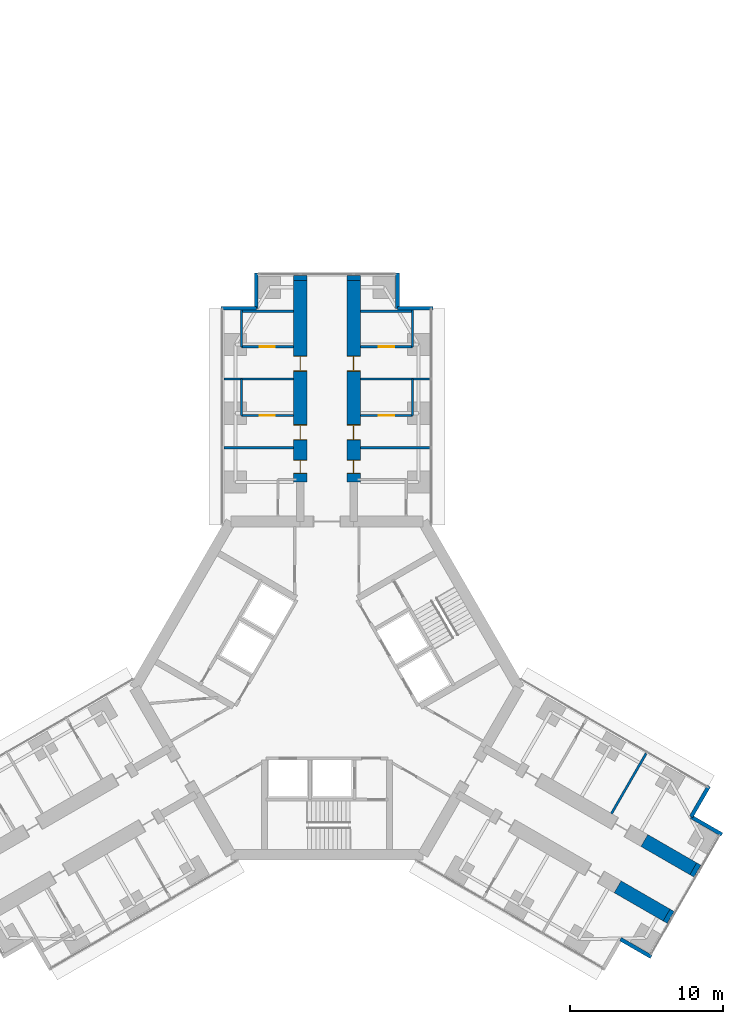
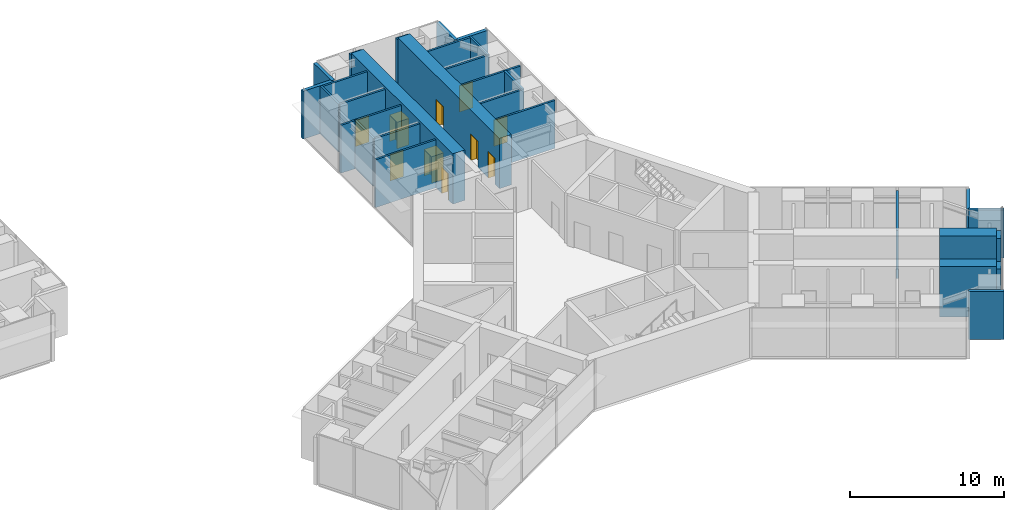
# One storey, part 22 of 24: 30 walls, 10 doors, 10 openings.
"""IFC4 building model written with IfcOpenShell, lengths in metres."""

from ifc_helpers import new_model, si_unit, direction, frame, frame_2d, origin, place, context, subcontext, project, spatial, rectangle, extrude, material, layer, layer_set, type_object, element, fill, save


model = new_model("IFC4")

# Units and contexts
model_context = context("Model", 3, precision=1e-05, world=origin(), true_north=direction((0.0, 1.0)))
body_context = subcontext(model_context, "Body", "Model", "MODEL_VIEW")
ifc_project = project(units=[si_unit("LENGTHUNIT", "METRE"), si_unit("AREAUNIT", "SQUARE_METRE"), si_unit("VOLUMEUNIT", "CUBIC_METRE"), si_unit("PLANEANGLEUNIT", "RADIAN"), si_unit("MASSUNIT", "GRAM", prefix="KILO")], contexts=[model_context])

# Site, building, storey
site_placement = place(None, origin())
site = spatial("IfcSite", under=ifc_project, at=site_placement, CompositionType="ELEMENT")
building_placement = place(site_placement, origin())
building = spatial("IfcBuilding", under=site, at=building_placement, Name="Upepo Twin Towers", CompositionType="ELEMENT")
storey_placement = place(building_placement, frame((0.0, 0.0, 64.5)))
storey = spatial("IfcBuildingStorey", under=building, at=storey_placement, Name="L15", CompositionType="ELEMENT", Elevation=64.5)

# Walls
ifc_material_1 = material(Name="Dense concrete blockwork", Category="masonry")
ifc_layer_1 = layer(ifc_material_1, 0.89990234375)
ifc_layer_set_1 = layer_set([ifc_layer_1], Name="Buttress closer 900, blockwork with fire-stopping to the curtain wall")
wall_type_1 = type_object("IfcWallType", Name="Buttress closer 900, blockwork with fire-stopping to the curtain wall", PredefinedType="PARTITIONING", material=ifc_layer_set_1)
for number, where, z_axis, x_axis, name in (
    (1, (56.75, 8.699951171875, 0.0), (0.0, 0.0, 1.0), (0.0, 1.0, 0.0), "T2 L15 wing A buttress closer L"),
    (2, (60.25, 8.699951171875, 0.0), (0.0, 0.0, 1.0), (0.0, 1.0, 0.0), "T2 L15 wing A buttress closer R"),
    (3, (82.497802734375, -29.83447265625, 0.0), (0.0, 0.0, 1.0), (0.866054481515, -0.499949632511, 0.0), "T2 L15 wing C buttress closer L"),
    (4, (80.747802734375, -32.865478515625, 0.0), (0.0, 0.0, 1.0), (0.866054481515, -0.499949632511, 0.0), "T2 L15 wing C buttress closer R"),
):
    element("IfcWall", number, at=place(storey_placement, frame(where, z_axis=z_axis, x_axis=x_axis)), inside=storey, type_object=wall_type_1, Name=name, PredefinedType="PARTITIONING", context=body_context, shape_type="SweptSolid", body=[
        extrude(rectangle(XDim=0.31005859375, YDim=0.89990234375, at=frame_2d((0.155029296875, 0.0))), origin(), (0.0, 0.0, 1.0), 3.800048828125),
    ])

# Wall, openings, doors
ifc_material_2 = material(Name="Concrete C60/75", Category="concrete")
ifc_layer_2 = layer(ifc_material_2, 0.89990234375)
ifc_layer_set_2 = layer_set([ifc_layer_2], Name="Concrete C60/75")
wall_type_2 = type_object("IfcWallType", Name="Buttress wall 900 RC", PredefinedType="SHEAR", material=ifc_layer_set_2)
wall_1_placement = place(storey_placement, frame((56.75, -4.5, 0.0), z_axis=(0.0, 0.0, 1.0), x_axis=(0.0, 1.0, 0.0)))
wall_1 = element("IfcWall", 5, at=wall_1_placement, inside=storey, type_object=wall_type_2, Name="T2 wing A buttress wall L part 2", PredefinedType="SHEAR", context=body_context, shape_type="SweptSolid", body=[
    extrude(rectangle(XDim=13.199951171875, YDim=0.89990234375, at=frame_2d((6.60009765625, 0.0))), origin(), (0.0, 0.0, 1.0), 4.0),
])
opening_1_placement = place(wall_1_placement, frame((0.550048828125, 0.0, 0.0)))
opening_1 = element("IfcOpeningElement", 6, at=opening_1_placement, cuts=wall_1, Name="Opening D11", PredefinedType="OPENING", context=body_context, shape_type="SweptSolid", body=[
    extrude(rectangle(XDim=0.89990234375, YDim=2.10009765625, at=frame_2d((0.449951171875, 1.050048828125))), frame((0.0, 0.4599609375, 0.0), z_axis=(0.0, -1.0, 0.0), x_axis=(1.0, 0.0, 0.0)), (0.0, 0.0, 1.0), 0.919921875),
])
opening_2_placement = place(wall_1_placement, frame((2.75, 0.0, 0.0)))
opening_2 = element("IfcOpeningElement", 7, at=opening_2_placement, cuts=wall_1, Name="Opening D1", PredefinedType="OPENING", context=body_context, shape_type="SweptSolid", body=[
    extrude(rectangle(XDim=1.0, YDim=2.10009765625, at=frame_2d((0.5, 1.050048828125))), frame((0.0, 0.4599609375, 0.0), z_axis=(0.0, -1.0, 0.0), x_axis=(1.0, 0.0, 0.0)), (0.0, 0.0, 1.0), 0.919921875),
])
opening_3_placement = place(wall_1_placement, frame((7.25, 0.0, 0.0)))
opening_3 = element("IfcOpeningElement", 8, at=opening_3_placement, cuts=wall_1, Name="Opening D1", PredefinedType="OPENING", context=body_context, shape_type="SweptSolid", body=[
    extrude(rectangle(XDim=1.0, YDim=2.10009765625, at=frame_2d((0.5, 1.050048828125))), frame((0.0, 0.4599609375, 0.0), z_axis=(0.0, -1.0, 0.0), x_axis=(1.0, 0.0, 0.0)), (0.0, 0.0, 1.0), 0.919921875),
])
ifc_material_3 = material(Name="Timber doorset", Category="wood")
door_type_1 = type_object("IfcDoorType", Name="Room door 1000 FD30", OperationType="SINGLE_SWING_LEFT", PredefinedType="DOOR", material=ifc_material_3)
door_1_placement = place(opening_2_placement, origin())
door_1 = element("IfcDoor", 9, at=door_1_placement, inside=storey, type_object=door_type_1, Name="T2 L15 tutorial room door", OperationType="SINGLE_SWING_LEFT", OverallHeight=2.10009765625, OverallWidth=1.0, PredefinedType="DOOR", context=body_context, shape_type="SweptSolid", body=[
    extrude(rectangle(XDim=0.92, YDim=2.06009765625, at=frame_2d((0.5, 1.030029296875))), frame((0.0, 0.02490234375, 0.0), z_axis=(0.0, -1.0, 0.0), x_axis=(1.0, 0.0, 0.0)), (0.0, 0.0, 1.0), 0.050048828125),
    extrude(rectangle(XDim=0.04, YDim=2.10009765625, at=frame_2d((0.02001953125, 1.050048828125))), frame((0.0, 0.44970703125, 0.0), z_axis=(0.0, -1.0, 0.0), x_axis=(1.0, 0.0, 0.0)), (0.0, 0.0, 1.0), 0.8994140625),
    extrude(rectangle(XDim=0.04, YDim=2.10009765625, at=frame_2d((0.97998046875, 1.050048828125))), frame((0.0, 0.44970703125, 0.0), z_axis=(0.0, -1.0, 0.0), x_axis=(1.0, 0.0, 0.0)), (0.0, 0.0, 1.0), 0.8994140625),
    extrude(rectangle(XDim=0.92, YDim=0.04, at=frame_2d((0.5, 2.080078125))), frame((0.0, 0.44970703125, 0.0), z_axis=(0.0, -1.0, 0.0), x_axis=(1.0, 0.0, 0.0)), (0.0, 0.0, 1.0), 0.8994140625),
])
fill(opening_2, door_1)
door_2_placement = place(opening_3_placement, origin())
door_2 = element("IfcDoor", 10, at=door_2_placement, inside=storey, type_object=door_type_1, Name="T2 L15 staff office door", OperationType="SINGLE_SWING_RIGHT", OverallHeight=2.10009765625, OverallWidth=1.0, PredefinedType="DOOR", context=body_context, shape_type="SweptSolid", body=[
    extrude(rectangle(XDim=0.92, YDim=2.06009765625, at=frame_2d((0.5, 1.030029296875))), frame((0.0, 0.02490234375, 0.0), z_axis=(0.0, -1.0, 0.0), x_axis=(1.0, 0.0, 0.0)), (0.0, 0.0, 1.0), 0.050048828125),
    extrude(rectangle(XDim=0.04, YDim=2.10009765625, at=frame_2d((0.02001953125, 1.050048828125))), frame((0.0, 0.44970703125, 0.0), z_axis=(0.0, -1.0, 0.0), x_axis=(1.0, 0.0, 0.0)), (0.0, 0.0, 1.0), 0.8994140625),
    extrude(rectangle(XDim=0.04, YDim=2.10009765625, at=frame_2d((0.97998046875, 1.050048828125))), frame((0.0, 0.44970703125, 0.0), z_axis=(0.0, -1.0, 0.0), x_axis=(1.0, 0.0, 0.0)), (0.0, 0.0, 1.0), 0.8994140625),
    extrude(rectangle(XDim=0.92, YDim=0.04, at=frame_2d((0.5, 2.080078125))), frame((0.0, 0.44970703125, 0.0), z_axis=(0.0, -1.0, 0.0), x_axis=(1.0, 0.0, 0.0)), (0.0, 0.0, 1.0), 0.8994140625),
])
fill(opening_3, door_2)
ifc_material_4 = material(Name="Timber doorset", Category="wood")
door_type_2 = type_object("IfcDoorType", Name="Toilet door 900", OperationType="SINGLE_SWING_LEFT", PredefinedType="DOOR", material=ifc_material_4)
door_3_placement = place(opening_1_placement, origin())
door_3 = element("IfcDoor", 11, at=door_3_placement, inside=storey, type_object=door_type_2, Name="T2 L15 toilets door", OperationType="SINGLE_SWING_LEFT", OverallHeight=2.10009765625, OverallWidth=0.89990234375, PredefinedType="DOOR", context=body_context, shape_type="SweptSolid", body=[
    extrude(rectangle(XDim=0.81990234375, YDim=2.06009765625, at=frame_2d((0.449951171875, 1.030029296875))), frame((0.0, 0.02490234375, 0.0), z_axis=(0.0, -1.0, 0.0), x_axis=(1.0, 0.0, 0.0)), (0.0, 0.0, 1.0), 0.050048828125),
    extrude(rectangle(XDim=0.04, YDim=2.10009765625, at=frame_2d((0.02001953125, 1.050048828125))), frame((0.0, 0.44970703125, 0.0), z_axis=(0.0, -1.0, 0.0), x_axis=(1.0, 0.0, 0.0)), (0.0, 0.0, 1.0), 0.8994140625),
    extrude(rectangle(XDim=0.04, YDim=2.10009765625, at=frame_2d((0.8798828125, 1.050048828125))), frame((0.0, 0.44970703125, 0.0), z_axis=(0.0, -1.0, 0.0), x_axis=(1.0, 0.0, 0.0)), (0.0, 0.0, 1.0), 0.8994140625),
    extrude(rectangle(XDim=0.81990234375, YDim=0.04, at=frame_2d((0.449951171875, 2.080078125))), frame((0.0, 0.44970703125, 0.0), z_axis=(0.0, -1.0, 0.0), x_axis=(1.0, 0.0, 0.0)), (0.0, 0.0, 1.0), 0.8994140625),
])
fill(opening_1, door_3)

wall_2_placement = place(storey_placement, frame((60.25, -4.5, 0.0), z_axis=(0.0, 0.0, 1.0), x_axis=(0.0, 1.0, 0.0)))
wall_2 = element("IfcWall", 12, at=wall_2_placement, inside=storey, type_object=wall_type_2, Name="T2 wing A buttress wall R part 2", PredefinedType="SHEAR", context=body_context, shape_type="SweptSolid", body=[
    extrude(rectangle(XDim=13.199951171875, YDim=0.89990234375, at=frame_2d((6.60009765625, 0.0))), origin(), (0.0, 0.0, 1.0), 4.0),
])
opening_4_placement = place(wall_2_placement, frame((0.550048828125, 0.0, 0.0)))
opening_4 = element("IfcOpeningElement", 13, at=opening_4_placement, cuts=wall_2, Name="Opening D11", PredefinedType="OPENING", context=body_context, shape_type="SweptSolid", body=[
    extrude(rectangle(XDim=0.89990234375, YDim=2.10009765625, at=frame_2d((0.449951171875, 1.050048828125))), frame((0.0, 0.4599609375, 0.0), z_axis=(0.0, -1.0, 0.0), x_axis=(1.0, 0.0, 0.0)), (0.0, 0.0, 1.0), 0.919921875),
])
opening_5_placement = place(wall_2_placement, frame((2.75, 0.0, 0.0)))
opening_5 = element("IfcOpeningElement", 14, at=opening_5_placement, cuts=wall_2, Name="Opening D1", PredefinedType="OPENING", context=body_context, shape_type="SweptSolid", body=[
    extrude(rectangle(XDim=1.0, YDim=2.10009765625, at=frame_2d((0.5, 1.050048828125))), frame((0.0, 0.4599609375, 0.0), z_axis=(0.0, -1.0, 0.0), x_axis=(1.0, 0.0, 0.0)), (0.0, 0.0, 1.0), 0.919921875),
])
opening_6_placement = place(wall_2_placement, frame((7.25, 0.0, 0.0)))
opening_6 = element("IfcOpeningElement", 15, at=opening_6_placement, cuts=wall_2, Name="Opening D1", PredefinedType="OPENING", context=body_context, shape_type="SweptSolid", body=[
    extrude(rectangle(XDim=1.0, YDim=2.10009765625, at=frame_2d((0.5, 1.050048828125))), frame((0.0, 0.4599609375, 0.0), z_axis=(0.0, -1.0, 0.0), x_axis=(1.0, 0.0, 0.0)), (0.0, 0.0, 1.0), 0.919921875),
])
door_4_placement = place(opening_5_placement, origin())
door_4 = element("IfcDoor", 16, at=door_4_placement, inside=storey, type_object=door_type_1, Name="T2 L15 seminar room door", OperationType="SINGLE_SWING_LEFT", OverallHeight=2.10009765625, OverallWidth=1.0, PredefinedType="DOOR", context=body_context, shape_type="SweptSolid", body=[
    extrude(rectangle(XDim=0.92, YDim=2.06009765625, at=frame_2d((0.5, 1.030029296875))), frame((0.0, 0.02490234375, 0.0), z_axis=(0.0, -1.0, 0.0), x_axis=(1.0, 0.0, 0.0)), (0.0, 0.0, 1.0), 0.050048828125),
    extrude(rectangle(XDim=0.04, YDim=2.10009765625, at=frame_2d((0.02001953125, 1.050048828125))), frame((0.0, 0.44970703125, 0.0), z_axis=(0.0, -1.0, 0.0), x_axis=(1.0, 0.0, 0.0)), (0.0, 0.0, 1.0), 0.8994140625),
    extrude(rectangle(XDim=0.04, YDim=2.10009765625, at=frame_2d((0.97998046875, 1.050048828125))), frame((0.0, 0.44970703125, 0.0), z_axis=(0.0, -1.0, 0.0), x_axis=(1.0, 0.0, 0.0)), (0.0, 0.0, 1.0), 0.8994140625),
    extrude(rectangle(XDim=0.92, YDim=0.04, at=frame_2d((0.5, 2.080078125))), frame((0.0, 0.44970703125, 0.0), z_axis=(0.0, -1.0, 0.0), x_axis=(1.0, 0.0, 0.0)), (0.0, 0.0, 1.0), 0.8994140625),
])
fill(opening_5, door_4)
door_5_placement = place(opening_6_placement, origin())
door_5 = element("IfcDoor", 17, at=door_5_placement, inside=storey, type_object=door_type_1, Name="T2 L15 tutorial room door", OperationType="SINGLE_SWING_RIGHT", OverallHeight=2.10009765625, OverallWidth=1.0, PredefinedType="DOOR", context=body_context, shape_type="SweptSolid", body=[
    extrude(rectangle(XDim=0.92, YDim=2.06009765625, at=frame_2d((0.5, 1.030029296875))), frame((0.0, 0.02490234375, 0.0), z_axis=(0.0, -1.0, 0.0), x_axis=(1.0, 0.0, 0.0)), (0.0, 0.0, 1.0), 0.050048828125),
    extrude(rectangle(XDim=0.04, YDim=2.10009765625, at=frame_2d((0.02001953125, 1.050048828125))), frame((0.0, 0.44970703125, 0.0), z_axis=(0.0, -1.0, 0.0), x_axis=(1.0, 0.0, 0.0)), (0.0, 0.0, 1.0), 0.8994140625),
    extrude(rectangle(XDim=0.04, YDim=2.10009765625, at=frame_2d((0.97998046875, 1.050048828125))), frame((0.0, 0.44970703125, 0.0), z_axis=(0.0, -1.0, 0.0), x_axis=(1.0, 0.0, 0.0)), (0.0, 0.0, 1.0), 0.8994140625),
    extrude(rectangle(XDim=0.92, YDim=0.04, at=frame_2d((0.5, 2.080078125))), frame((0.0, 0.44970703125, 0.0), z_axis=(0.0, -1.0, 0.0), x_axis=(1.0, 0.0, 0.0)), (0.0, 0.0, 1.0), 0.8994140625),
])
fill(opening_6, door_5)
door_6_placement = place(opening_4_placement, origin())
door_6 = element("IfcDoor", 18, at=door_6_placement, inside=storey, type_object=door_type_2, Name="T2 L15 accessible wc door", OperationType="SINGLE_SWING_LEFT", OverallHeight=2.10009765625, OverallWidth=0.89990234375, PredefinedType="DOOR", context=body_context, shape_type="SweptSolid", body=[
    extrude(rectangle(XDim=0.81990234375, YDim=2.06009765625, at=frame_2d((0.449951171875, 1.030029296875))), frame((0.0, 0.02490234375, 0.0), z_axis=(0.0, -1.0, 0.0), x_axis=(1.0, 0.0, 0.0)), (0.0, 0.0, 1.0), 0.050048828125),
    extrude(rectangle(XDim=0.04, YDim=2.10009765625, at=frame_2d((0.02001953125, 1.050048828125))), frame((0.0, 0.44970703125, 0.0), z_axis=(0.0, -1.0, 0.0), x_axis=(1.0, 0.0, 0.0)), (0.0, 0.0, 1.0), 0.8994140625),
    extrude(rectangle(XDim=0.04, YDim=2.10009765625, at=frame_2d((0.8798828125, 1.050048828125))), frame((0.0, 0.44970703125, 0.0), z_axis=(0.0, -1.0, 0.0), x_axis=(1.0, 0.0, 0.0)), (0.0, 0.0, 1.0), 0.8994140625),
    extrude(rectangle(XDim=0.81990234375, YDim=0.04, at=frame_2d((0.449951171875, 2.080078125))), frame((0.0, 0.44970703125, 0.0), z_axis=(0.0, -1.0, 0.0), x_axis=(1.0, 0.0, 0.0)), (0.0, 0.0, 1.0), 0.8994140625),
])
fill(opening_4, door_6)

# Walls
wall_3_placement = place(storey_placement, frame((79.293701171875, -27.984375, 0.0), z_axis=(0.0, 0.0, 1.0), x_axis=(0.866000971088, -0.500042316284, 0.0)))
element("IfcWall", 19, at=wall_3_placement, inside=storey, type_object=wall_type_2, Name="T2 wing C buttress wall L part 3", PredefinedType="SHEAR", context=body_context, shape_type="SweptSolid", body=[
    extrude(rectangle(XDim=3.699951171875, YDim=0.89990234375, at=frame_2d((1.85009765625, 0.0))), origin(), (0.0, 0.0, 1.0), 4.0),
])
wall_4_placement = place(storey_placement, frame((77.543701171875, -31.015625, 0.0), z_axis=(0.0, 0.0, 1.0), x_axis=(0.866029545028, -0.499992827086, 0.0)))
element("IfcWall", 20, at=wall_4_placement, inside=storey, type_object=wall_type_2, Name="T2 wing C buttress wall R part 3", PredefinedType="SHEAR", context=body_context, shape_type="SweptSolid", body=[
    extrude(rectangle(XDim=3.69970703125, YDim=0.89990234375, at=frame_2d((1.849853515625, 0.0))), origin(), (0.0, 0.0, 1.0), 4.0),
])
ifc_material_5 = material(Name="Blockwork with anodised aluminium cladding", Category="masonry")
ifc_layer_3 = layer(ifc_material_5, 0.25)
ifc_layer_set_3 = layer_set([ifc_layer_3], Name="Notch cladding wall 250, pale metal")
wall_type_3 = type_object("IfcWallType", Name="Notch cladding wall 250, pale metal", PredefinedType="STANDARD", material=ifc_layer_set_3)
for number, where, z_axis, x_axis, name in (
    (21, (51.550048828125, 6.875, 0.0), (0.0, 0.0, 1.0), (1.0, 0.0, 0.0), "T2 L15 wing A notch wall L1"),
    (22, (53.875, 6.875, 0.0), (0.0, 0.0, 1.0), (0.0, 1.0, 0.0), "T2 L15 wing A notch wall L2"),
    (23, (65.449951171875, 6.875, 0.0), (0.0, 0.0, 1.0), (-1.0, 0.0, 0.0), "T2 L15 wing A notch wall R1"),
    (24, (63.125, 6.875, 0.0), (0.0, 0.0, 1.0), (0.0, 1.0, 0.0), "T2 L15 wing A notch wall R2"),
    (25, (83.517333984375, -24.418701171875, 0.0), (0.0, 0.0, 1.0), (-0.499967891604, -0.866043940782, 0.0), "T2 L15 wing C notch wall L1"),
    (26, (82.35498046875, -26.43212890625, 0.0), (0.0, 0.0, 1.0), (0.865998469481, -0.500046648681, 0.0), "T2 L15 wing C notch wall L2"),
    (27, (77.72998046875, -34.44287109375, 0.0), (0.0, 0.0, 1.0), (0.865998469481, -0.500046648681, 0.0), "T2 L15 wing C notch wall R2"),
):
    element("IfcWall", number, at=place(storey_placement, frame(where, z_axis=z_axis, x_axis=x_axis)), inside=storey, type_object=wall_type_3, Name=name, PredefinedType="STANDARD", context=body_context, shape_type="SweptSolid", body=[
        extrude(rectangle(XDim=2.324951171875, YDim=0.25, at=frame_2d((1.16259765625, 0.0))), origin(), (0.0, 0.0, 1.0), 3.800048828125),
    ])
ifc_material_6 = material(Name="Gypsum board on steel studs", Category="steel")
ifc_layer_4 = layer(ifc_material_6, 0.14990234375)
ifc_layer_set_4 = layer_set([ifc_layer_4], Name="Teaching partition 150 acoustic")
wall_type_4 = type_object("IfcWallType", Name="Teaching partition 150 acoustic", PredefinedType="PARTITIONING", material=ifc_layer_set_4)
for number, where, z_axis, x_axis, name in (
    (28, (56.300048828125, -2.25, 0.0), (0.0, 0.0, 1.0), (-1.0, 0.0, 0.0), "T2 partition AL at 15.75"),
    (29, (56.300048828125, 2.25, 0.0), (0.0, 0.0, 1.0), (-1.0, 0.0, 0.0), "T2 partition AL at 20.25"),
):
    element("IfcWall", number, at=place(storey_placement, frame(where, z_axis=z_axis, x_axis=x_axis)), inside=storey, type_object=wall_type_4, Name=name, PredefinedType="PARTITIONING", context=body_context, shape_type="SweptSolid", body=[
        extrude(rectangle(XDim=4.550048828125, YDim=0.14990234375, at=frame_2d((2.27490234375, 0.0))), origin(), (0.0, 0.0, 1.0), 3.800048828125),
    ])
wall_5_placement = place(storey_placement, frame((52.89990234375, -0.14990234375, 0.0), z_axis=(0.0, 0.0, 1.0), x_axis=(0.0, 1.0, 0.0)))
element("IfcWall", 30, at=wall_5_placement, inside=storey, type_object=wall_type_4, Name="T2 inner room partition AL at 17.85", PredefinedType="PARTITIONING", context=body_context, shape_type="SweptSolid", body=[
    extrude(rectangle(XDim=2.39990234375, YDim=0.14990234375, at=frame_2d((1.199951171875, 0.0))), origin(), (0.0, 0.0, 1.0), 3.800048828125),
])

# Wall, opening, door
wall_6_placement = place(storey_placement, frame((56.300048828125, -0.14990234375, 0.0), z_axis=(0.0, 0.0, 1.0), x_axis=(-1.0, 0.0, 0.0)))
wall_6 = element("IfcWall", 31, at=wall_6_placement, inside=storey, type_object=wall_type_4, Name="T2 inner room partition AL end at 17.85", PredefinedType="PARTITIONING", context=body_context, shape_type="SweptSolid", body=[
    extrude(rectangle(XDim=3.400146484375, YDim=0.14990234375, at=frame_2d((1.7001953125, 0.0))), origin(), (0.0, 0.0, 1.0), 3.800048828125),
])
opening_7_placement = place(wall_6_placement, frame((1.199951171875, 0.0, 0.0)))
opening_7 = element("IfcOpeningElement", 32, at=opening_7_placement, cuts=wall_6, Name="Opening D1", PredefinedType="OPENING", context=body_context, shape_type="SweptSolid", body=[
    extrude(rectangle(XDim=1.0, YDim=2.10009765625, at=frame_2d((0.5, 1.050048828125))), frame((0.0, 0.0849609375, 0.0), z_axis=(0.0, -1.0, 0.0), x_axis=(1.0, 0.0, 0.0)), (0.0, 0.0, 1.0), 0.169921875),
])
door_7_placement = place(opening_7_placement, origin())
door_7 = element("IfcDoor", 33, at=door_7_placement, inside=storey, type_object=door_type_1, Name="T2 L15 inner room door", OperationType="SINGLE_SWING_LEFT", OverallHeight=2.10009765625, OverallWidth=1.0, PredefinedType="DOOR", context=body_context, shape_type="SweptSolid", body=[
    extrude(rectangle(XDim=1.0, YDim=2.10009765625, at=frame_2d((0.5, 1.050048828125))), frame((0.0, 0.02490234375, 0.0), z_axis=(0.0, -1.0, 0.0), x_axis=(1.0, 0.0, 0.0)), (0.0, 0.0, 1.0), 0.050048828125),
])
fill(opening_7, door_7)

# Wall
wall_7_placement = place(storey_placement, frame((52.89990234375, 4.35009765625, 0.0), z_axis=(0.0, 0.0, 1.0), x_axis=(0.0, 1.0, 0.0)))
element("IfcWall", 34, at=wall_7_placement, inside=storey, type_object=wall_type_4, Name="T2 inner room partition AL at 22.35", PredefinedType="PARTITIONING", context=body_context, shape_type="SweptSolid", body=[
    extrude(rectangle(XDim=2.39990234375, YDim=0.14990234375, at=frame_2d((1.199951171875, 0.0))), origin(), (0.0, 0.0, 1.0), 3.800048828125),
])

# Wall, opening, door
wall_8_placement = place(storey_placement, frame((56.300048828125, 4.35009765625, 0.0), z_axis=(0.0, 0.0, 1.0), x_axis=(-1.0, 0.0, 0.0)))
wall_8 = element("IfcWall", 35, at=wall_8_placement, inside=storey, type_object=wall_type_4, Name="T2 inner room partition AL end at 22.35", PredefinedType="PARTITIONING", context=body_context, shape_type="SweptSolid", body=[
    extrude(rectangle(XDim=3.400146484375, YDim=0.14990234375, at=frame_2d((1.7001953125, 0.0))), origin(), (0.0, 0.0, 1.0), 3.800048828125),
])
opening_8_placement = place(wall_8_placement, frame((1.199951171875, 0.0, 0.0)))
opening_8 = element("IfcOpeningElement", 36, at=opening_8_placement, cuts=wall_8, Name="Opening D1", PredefinedType="OPENING", context=body_context, shape_type="SweptSolid", body=[
    extrude(rectangle(XDim=1.0, YDim=2.10009765625, at=frame_2d((0.5, 1.050048828125))), frame((0.0, 0.0849609375, 0.0), z_axis=(0.0, -1.0, 0.0), x_axis=(1.0, 0.0, 0.0)), (0.0, 0.0, 1.0), 0.169921875),
])
door_8_placement = place(opening_8_placement, origin())
door_8 = element("IfcDoor", 37, at=door_8_placement, inside=storey, type_object=door_type_1, Name="T2 L15 inner room door", OperationType="SINGLE_SWING_LEFT", OverallHeight=2.10009765625, OverallWidth=1.0, PredefinedType="DOOR", context=body_context, shape_type="SweptSolid", body=[
    extrude(rectangle(XDim=1.0, YDim=2.10009765625, at=frame_2d((0.5, 1.050048828125))), frame((0.0, 0.02490234375, 0.0), z_axis=(0.0, -1.0, 0.0), x_axis=(1.0, 0.0, 0.0)), (0.0, 0.0, 1.0), 0.050048828125),
])
fill(opening_8, door_8)

# Walls
wall_9_placement = place(storey_placement, frame((56.300048828125, 6.675048828125, 0.0), z_axis=(0.0, 0.0, 1.0), x_axis=(-1.0, 0.0, 0.0)))
element("IfcWall", 38, at=wall_9_placement, inside=storey, type_object=wall_type_4, Name="T2 inner room partition AL end at 24.75", PredefinedType="PARTITIONING", context=body_context, shape_type="SweptSolid", body=[
    extrude(rectangle(XDim=3.400146484375, YDim=0.14990234375, at=frame_2d((1.7001953125, 0.0))), origin(), (0.0, 0.0, 1.0), 3.800048828125),
])
for number, where, z_axis, x_axis, name in (
    (39, (60.699951171875, -2.25, 0.0), (0.0, 0.0, 1.0), (1.0, 0.0, 0.0), "T2 partition AR at 15.75"),
    (40, (60.699951171875, 2.25, 0.0), (0.0, 0.0, 1.0), (1.0, 0.0, 0.0), "T2 partition AR at 20.25"),
):
    element("IfcWall", number, at=place(storey_placement, frame(where, z_axis=z_axis, x_axis=x_axis)), inside=storey, type_object=wall_type_4, Name=name, PredefinedType="PARTITIONING", context=body_context, shape_type="SweptSolid", body=[
        extrude(rectangle(XDim=4.550048828125, YDim=0.14990234375, at=frame_2d((2.27490234375, 0.0))), origin(), (0.0, 0.0, 1.0), 3.800048828125),
    ])
wall_10_placement = place(storey_placement, frame((64.10009765625, -0.14990234375, 0.0), z_axis=(0.0, 0.0, 1.0), x_axis=(0.0, 1.0, 0.0)))
element("IfcWall", 41, at=wall_10_placement, inside=storey, type_object=wall_type_4, Name="T2 inner room partition AR at 17.85", PredefinedType="PARTITIONING", context=body_context, shape_type="SweptSolid", body=[
    extrude(rectangle(XDim=2.39990234375, YDim=0.14990234375, at=frame_2d((1.199951171875, 0.0))), origin(), (0.0, 0.0, 1.0), 3.800048828125),
])

# Wall, opening, door
wall_11_placement = place(storey_placement, frame((60.699951171875, -0.14990234375, 0.0), z_axis=(0.0, 0.0, 1.0), x_axis=(1.0, 0.0, 0.0)))
wall_11 = element("IfcWall", 42, at=wall_11_placement, inside=storey, type_object=wall_type_4, Name="T2 inner room partition AR end at 17.85", PredefinedType="PARTITIONING", context=body_context, shape_type="SweptSolid", body=[
    extrude(rectangle(XDim=3.400146484375, YDim=0.14990234375, at=frame_2d((1.7001953125, 0.0))), origin(), (0.0, 0.0, 1.0), 3.800048828125),
])
opening_9_placement = place(wall_11_placement, frame((1.199951171875, 0.0, 0.0)))
opening_9 = element("IfcOpeningElement", 43, at=opening_9_placement, cuts=wall_11, Name="Opening D1", PredefinedType="OPENING", context=body_context, shape_type="SweptSolid", body=[
    extrude(rectangle(XDim=1.0, YDim=2.10009765625, at=frame_2d((0.5, 1.050048828125))), frame((0.0, 0.0849609375, 0.0), z_axis=(0.0, -1.0, 0.0), x_axis=(1.0, 0.0, 0.0)), (0.0, 0.0, 1.0), 0.169921875),
])
door_9_placement = place(opening_9_placement, origin())
door_9 = element("IfcDoor", 44, at=door_9_placement, inside=storey, type_object=door_type_1, Name="T2 L15 inner room door", OperationType="SINGLE_SWING_LEFT", OverallHeight=2.10009765625, OverallWidth=1.0, PredefinedType="DOOR", context=body_context, shape_type="SweptSolid", body=[
    extrude(rectangle(XDim=1.0, YDim=2.10009765625, at=frame_2d((0.5, 1.050048828125))), frame((0.0, 0.02490234375, 0.0), z_axis=(0.0, -1.0, 0.0), x_axis=(1.0, 0.0, 0.0)), (0.0, 0.0, 1.0), 0.050048828125),
])
fill(opening_9, door_9)

# Wall
wall_12_placement = place(storey_placement, frame((64.10009765625, 4.35009765625, 0.0), z_axis=(0.0, 0.0, 1.0), x_axis=(0.0, 1.0, 0.0)))
element("IfcWall", 45, at=wall_12_placement, inside=storey, type_object=wall_type_4, Name="T2 inner room partition AR at 22.35", PredefinedType="PARTITIONING", context=body_context, shape_type="SweptSolid", body=[
    extrude(rectangle(XDim=2.39990234375, YDim=0.14990234375, at=frame_2d((1.199951171875, 0.0))), origin(), (0.0, 0.0, 1.0), 3.800048828125),
])

# Wall, opening, door
wall_13_placement = place(storey_placement, frame((60.699951171875, 4.35009765625, 0.0), z_axis=(0.0, 0.0, 1.0), x_axis=(1.0, 0.0, 0.0)))
wall_13 = element("IfcWall", 46, at=wall_13_placement, inside=storey, type_object=wall_type_4, Name="T2 inner room partition AR end at 22.35", PredefinedType="PARTITIONING", context=body_context, shape_type="SweptSolid", body=[
    extrude(rectangle(XDim=3.400146484375, YDim=0.14990234375, at=frame_2d((1.7001953125, 0.0))), origin(), (0.0, 0.0, 1.0), 3.800048828125),
])
opening_10_placement = place(wall_13_placement, frame((1.199951171875, 0.0, 0.0)))
opening_10 = element("IfcOpeningElement", 47, at=opening_10_placement, cuts=wall_13, Name="Opening D1", PredefinedType="OPENING", context=body_context, shape_type="SweptSolid", body=[
    extrude(rectangle(XDim=1.0, YDim=2.10009765625, at=frame_2d((0.5, 1.050048828125))), frame((0.0, 0.0849609375, 0.0), z_axis=(0.0, -1.0, 0.0), x_axis=(1.0, 0.0, 0.0)), (0.0, 0.0, 1.0), 0.169921875),
])
door_10_placement = place(opening_10_placement, origin())
door_10 = element("IfcDoor", 48, at=door_10_placement, inside=storey, type_object=door_type_1, Name="T2 L15 inner room door", OperationType="SINGLE_SWING_LEFT", OverallHeight=2.10009765625, OverallWidth=1.0, PredefinedType="DOOR", context=body_context, shape_type="SweptSolid", body=[
    extrude(rectangle(XDim=1.0, YDim=2.10009765625, at=frame_2d((0.5, 1.050048828125))), frame((0.0, 0.02490234375, 0.0), z_axis=(0.0, -1.0, 0.0), x_axis=(1.0, 0.0, 0.0)), (0.0, 0.0, 1.0), 0.050048828125),
])
fill(opening_10, door_10)

# Walls
wall_14_placement = place(storey_placement, frame((60.699951171875, 6.675048828125, 0.0), z_axis=(0.0, 0.0, 1.0), x_axis=(1.0, 0.0, 0.0)))
element("IfcWall", 49, at=wall_14_placement, inside=storey, type_object=wall_type_4, Name="T2 inner room partition AR end at 24.75", PredefinedType="PARTITIONING", context=body_context, shape_type="SweptSolid", body=[
    extrude(rectangle(XDim=3.400146484375, YDim=0.14990234375, at=frame_2d((1.7001953125, 0.0))), origin(), (0.0, 0.0, 1.0), 3.800048828125),
])
wall_15_placement = place(storey_placement, frame((77.136962890625, -26.2197265625, 0.0), z_axis=(0.0, 0.0, 1.0), x_axis=(0.500022803284, 0.866012237902, 0.0)))
element("IfcWall", 50, at=wall_15_placement, inside=storey, type_object=wall_type_4, Name="T2 partition CL at 20.25", PredefinedType="PARTITIONING", context=body_context, shape_type="SweptSolid", body=[
    extrude(rectangle(XDim=4.550048828125, YDim=0.14990234375, at=frame_2d((2.27490234375, 0.0))), origin(), (0.0, 0.0, 1.0), 3.800048828125),
])

save(model, "model.ifc")
